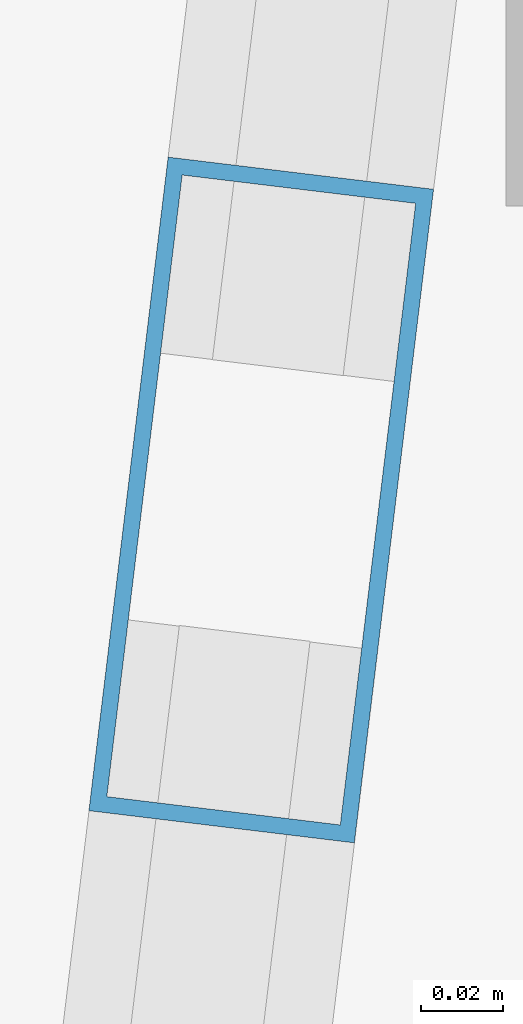
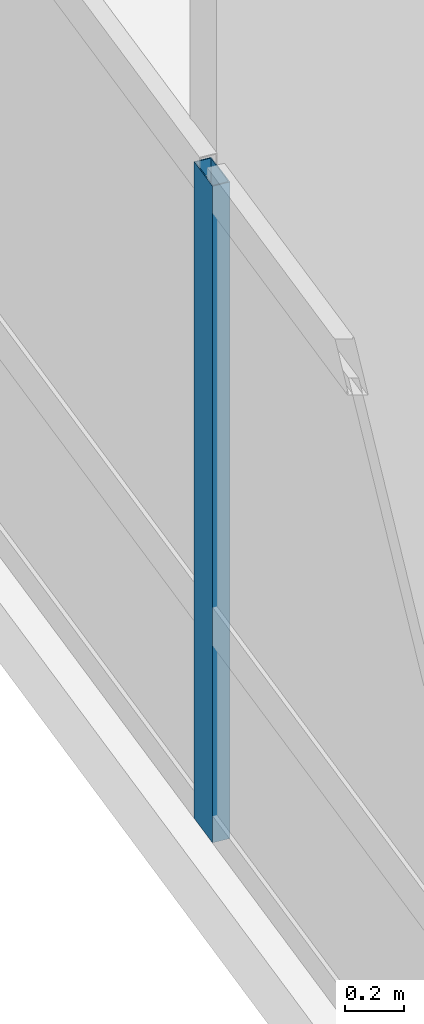
# One storey, part 4 of 26: 1 member, 1 element without a shape of its own.
"""IFC4 building model written with IfcOpenShell, lengths in metres."""

from ifc_helpers import new_model, si_unit, direction, frame, origin, origin_2d, place, context, subcontext, project, spatial, hollow_rectangle, extrude, material, layer, layer_set, material_profile, profile_set, type_object, element, aggregate, save


model = new_model("IFC4")

# Units and contexts
model_context = context("Model", 3, precision=1e-05, world=origin(), true_north=direction((0.0, 1.0)))
body_context = subcontext(model_context, "Body", "Model", "MODEL_VIEW")
ifc_project = project(units=[si_unit("LENGTHUNIT", "METRE"), si_unit("AREAUNIT", "SQUARE_METRE"), si_unit("VOLUMEUNIT", "CUBIC_METRE"), si_unit("PLANEANGLEUNIT", "RADIAN"), si_unit("MASSUNIT", "GRAM", prefix="KILO")], contexts=[model_context])

# Site, building, storey
site_placement = place(None, origin())
site = spatial("IfcSite", under=ifc_project, at=site_placement, CompositionType="ELEMENT")
building_placement = place(site_placement, origin())
building = spatial("IfcBuilding", under=site, at=building_placement, Name="Varnelok Gate Tower", CompositionType="ELEMENT")
storey_placement = place(building_placement, frame((0.0, 0.0, 155.0)))
storey = spatial("IfcBuildingStorey", under=building, at=storey_placement, Name="L39", CompositionType="ELEMENT", Elevation=155.0)

# Curtain wall, member
ifc_material = material(Name="Anodized Aluminum Alloy 6063-T6", Category="aluminium")
ifc_layer = layer(ifc_material, 0.179931640625)
ifc_layer_set = layer_set([ifc_layer], Name="Anodized Aluminum Alloy 6063-T6")
curtain_wall_type = type_object("IfcCurtainWallType", Name="CW3-HOTEL-VISION", PredefinedType="USERDEFINED", material=ifc_layer_set)
curtain_wall_placement = place(storey_placement, origin())
curtain_wall = element("IfcCurtainWall", 1, at=curtain_wall_placement, inside=storey, type_object=curtain_wall_type, Name="L39 West End Vision Curtain Wall", ObjectType="UNITISED CURTAIN WALL", PredefinedType="USERDEFINED")
ifc_material_profile = material_profile(ifc_material, hollow_rectangle(XDim=0.06494140625, YDim=0.159912109375, WallThickness=0.00390625, at=origin_2d()), Name="ALU160X65X4")
ifc_profile_set = profile_set([ifc_material_profile], Name="Anodized Aluminum Alloy 6063-T6")
member_type = type_object("IfcMemberType", Name="CW-MULL-160", PredefinedType="MULLION", material=ifc_profile_set)
member_placement = place(storey_placement, frame((1.109619140625, 19.03857421875, 0.0), z_axis=(0.0, 0.0, 1.0), x_axis=(-0.99273188146, 0.120347046212, 0.0)))
member = element("IfcMember", 2, at=member_placement, type_object=member_type, Name="CW3 mullion 2", PredefinedType="MULLION", context=body_context, shape_type="SweptSolid", body=[
    extrude(hollow_rectangle(XDim=0.06494140625, YDim=0.159912109375, WallThickness=0.00390625, at=origin_2d()), origin(), (0.0, 0.0, 1.0), 2.72998046875),
])
aggregate(curtain_wall, [member])

save(model, "model.ifc")
